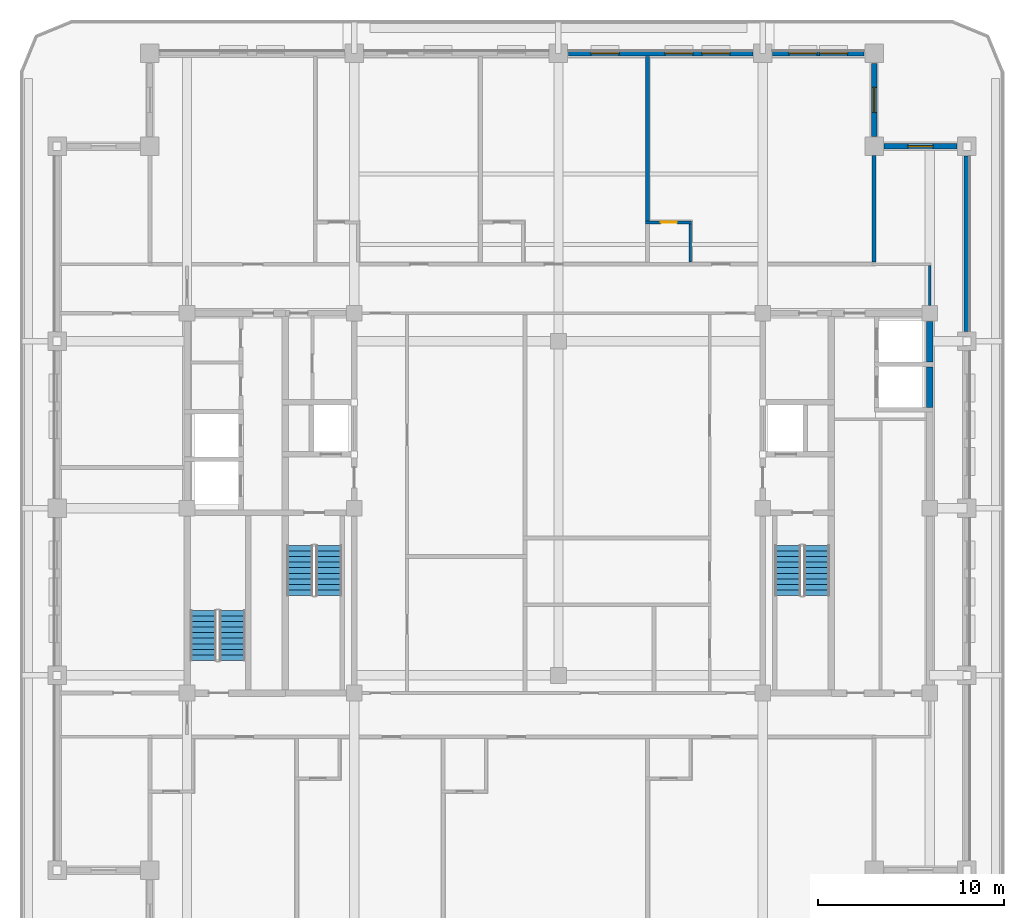
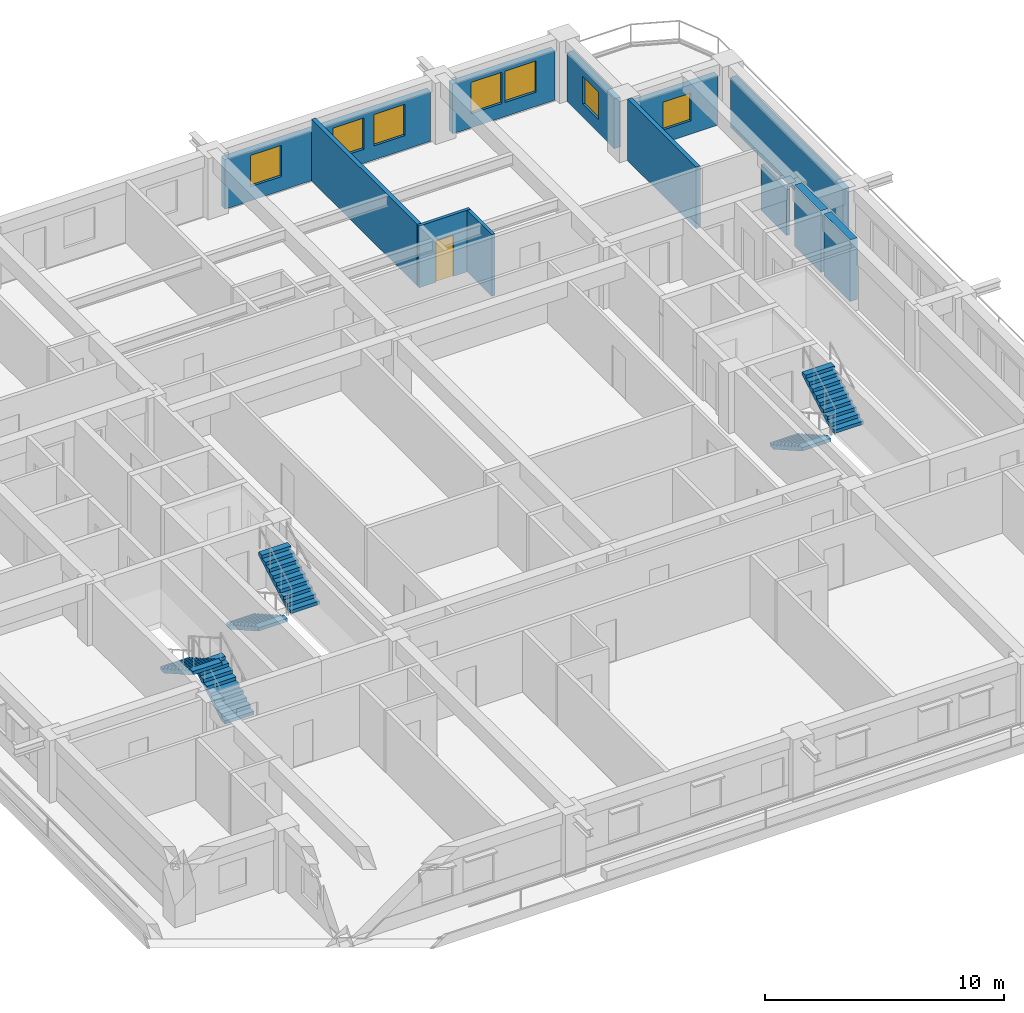
# One storey, part 7 of 14: 12 walls, 7 windows, 6 stair flights, 1 door, 8 openings, 3 elements without a shape of their own.
"""IFC4 building model written with IfcOpenShell, lengths in metres."""

import ifcopenshell
import ifcopenshell.guid

model = None  # the IFC model being written
_history = None  # IfcOwnerHistory: only IFC2X3 demands one
_inside = {}  # id of a spatial element -> (the spatial element, [elements in it])
_under = {}  # id of a project, library or spatial element -> (it, [spatial elements below it])
_declared = {}  # id of a project -> (the project, [libraries it declares])
_typed = {}  # id of a type object -> (the type object, [elements of that type])
_made_of = {}  # id of a material, layer set ... -> (it, [elements and type objects made of it])


def new_model(schema):
    """Start an empty IFC model of exactly this schema.

    Asked for "IFC4X3", IfcOpenShell would pick the latest addendum, in which some entities
    have other attributes; the version numbers below select the first issue.
    IFC2X3 requires an IfcOwnerHistory on every rooted entity: one is made here for all.
    """
    global model, _history
    if schema == "IFC4X3":
        model = ifcopenshell.file(schema_version=(4, 3, 0, 0))
    else:
        model = ifcopenshell.file(schema=schema)
    _inside.clear()
    _under.clear()
    _declared.clear()
    _typed.clear()
    _made_of.clear()
    _history = None
    if model.schema == "IFC2X3":
        org = make("IfcOrganization", Name="unknown")
        user = make(
            "IfcPersonAndOrganization",
            ThePerson=make("IfcPerson", FamilyName="unknown"),
            TheOrganization=org,
        )
        app = make(
            "IfcApplication",
            ApplicationDeveloper=org,
            Version="unknown",
            ApplicationFullName="unknown",
            ApplicationIdentifier="unknown",
        )
        _history = make(
            "IfcOwnerHistory",
            OwningUser=user,
            OwningApplication=app,
            ChangeAction="ADDED",
            CreationDate=0,
        )
    return model


def make(cls, **values):
    """One entity of the class cls with the attributes given. An attribute that is None is left unset."""
    return model.create_entity(
        cls, **{name: value for name, value in values.items() if value is not None}
    )


def rooted(cls, **values):
    """An entity with a GlobalId (a new one), such as an element, a storey or a relation."""
    return make(cls, GlobalId=ifcopenshell.guid.new(), OwnerHistory=_history, **values)


def si_unit(unit_type, name, prefix=None):
    """IfcSIUnit, for example si_unit("LENGTHUNIT", "METRE", prefix="MILLI")."""
    return make("IfcSIUnit", UnitType=unit_type, Prefix=prefix, Name=name)


def assignment(units):
    """IfcUnitAssignment: the units of a project."""
    return None if units is None else make("IfcUnitAssignment", Units=units)


def point(xyz):
    """IfcCartesianPoint."""
    return None if xyz is None else make("IfcCartesianPoint", Coordinates=xyz)


def direction(xyz):
    """IfcDirection."""
    return None if xyz is None else make("IfcDirection", DirectionRatios=xyz)


def frame(location, z_axis=None, x_axis=None):
    """IfcAxis2Placement3D, a coordinate frame: its origin and axes. An axis left out is left unset."""
    return make(
        "IfcAxis2Placement3D",
        Location=point(location),
        Axis=direction(z_axis),
        RefDirection=direction(x_axis),
    )


def frame_2d(location, x_axis=None):
    """IfcAxis2Placement2D, a coordinate frame in the plane: its origin and x axis."""
    return make(
        "IfcAxis2Placement2D", Location=point(location), RefDirection=direction(x_axis)
    )


def origin():
    """The frame at (0, 0, 0) with its axes left unset."""
    return frame((0.0, 0.0, 0.0))


def place(relative_to, where):
    """IfcLocalPlacement: puts the frame where relative to a parent placement (None: the world)."""
    return make(
        "IfcLocalPlacement", PlacementRelTo=relative_to, RelativePlacement=where
    )


def context(
    kind, dimensions, precision=None, world=None, true_north=None, identifier=None
):
    """IfcGeometricRepresentationContext, for example the 3D "Model" context."""
    return make(
        "IfcGeometricRepresentationContext",
        ContextIdentifier=identifier,
        ContextType=kind,
        CoordinateSpaceDimension=dimensions,
        Precision=precision,
        WorldCoordinateSystem=world,
        TrueNorth=true_north,
    )


def subcontext(parent, identifier, kind, view, scale=None):
    """IfcGeometricRepresentationSubContext, for example "Body" below "Model"."""
    return make(
        "IfcGeometricRepresentationSubContext",
        ContextIdentifier=identifier,
        ContextType=kind,
        ParentContext=parent,
        TargetScale=scale,
        TargetView=view,
    )


def project(units=None, contexts=None):
    """IfcProject with its units and contexts."""
    return rooted(
        "IfcProject",
        Name="project",
        RepresentationContexts=contexts,
        UnitsInContext=assignment(units),
    )


def spatial(cls, under=None, at=None, **own):
    """A site, building, storey or space (cls), placed at a placement, below another one or the project."""
    s = rooted(cls, ObjectPlacement=at, **own)
    if under is not None:
        _under.setdefault(under.id(), (under, []))[1].append(s)
    return s


def polyline(points):
    """IfcPolyline through the points."""
    return make("IfcPolyline", Points=[point(p) for p in points])


def profile(cls, at=None, kind="AREA", **sizes):
    """A parametric profile (cls). Its sizes go by their IFC names, for example OverallWidth=200.0."""
    return make(cls, ProfileType=kind, Position=at, **sizes)


def rectangle(**sizes):
    """IfcRectangleProfileDef."""
    return profile("IfcRectangleProfileDef", **sizes)


def outline(outer, holes=None, kind="AREA"):
    """IfcArbitraryClosedProfileDef: a profile drawn as a closed curve; with holes, ...WithVoids."""
    if holes is None:
        return make("IfcArbitraryClosedProfileDef", ProfileType=kind, OuterCurve=outer)
    return make(
        "IfcArbitraryProfileDefWithVoids",
        ProfileType=kind,
        OuterCurve=outer,
        InnerCurves=holes,
    )


def extrude(swept, where, along, depth):
    """IfcExtrudedAreaSolid: the profile swept, set in the frame where, extruded along a direction by depth."""
    return make(
        "IfcExtrudedAreaSolid",
        SweptArea=swept,
        Position=where,
        ExtrudedDirection=direction(along),
        Depth=depth,
    )


def shape(context_of_items, identifier, shape_type, items):
    """IfcShapeRepresentation: the items that make up one representation, for example the "Body"."""
    return make(
        "IfcShapeRepresentation",
        ContextOfItems=context_of_items,
        RepresentationIdentifier=identifier,
        RepresentationType=shape_type,
        Items=items,
    )


def material(Name=None, Category=None):
    """IfcMaterial."""
    return make("IfcMaterial", Name=Name, Category=Category)


def layer(
    of_material, thickness, ventilated=None, Name=None, Category=None, Priority=None
):
    """IfcMaterialLayer: one layer of a wall or slab, of a material (None: an air gap)."""
    return make(
        "IfcMaterialLayer",
        Material=of_material,
        LayerThickness=thickness,
        IsVentilated=ventilated,
        Name=Name,
        Category=Category,
        Priority=Priority,
    )


def layer_set(layers, Name=None):
    """IfcMaterialLayerSet."""
    return make("IfcMaterialLayerSet", MaterialLayers=layers, LayerSetName=Name)


def made_of(thing, what):
    """Note that an element or type object is made of a material, layer set ...; save() writes the relation."""
    if what is not None:
        _made_of.setdefault(what.id(), (what, []))[1].append(thing)
    return thing


def type_object(cls, material=None, **own):
    """A type object (cls), such as IfcWallType, which elements share."""
    return made_of(rooted(cls, **own), material)


def element(
    cls,
    number,
    at=None,
    inside=None,
    cuts=None,
    type_object=None,
    material=None,
    context=None,
    identifier="Body",
    shape_type=None,
    held_by="IfcProductDefinitionShape",
    body=None,
    shapes=None,
    **own,
):
    """One element of the class cls, such as IfcWall. Its Tag is "e" and its number.

    at: its placement. inside: the storey or other place that contains it. cuts: it is an
    opening in that element (IfcRelVoidsElement). A single representation is given by context,
    identifier, shape_type and body (its items); several are given by shapes. held_by: the class
    of the entity that holds the representations. save() writes the other relations.
    """
    e = rooted(cls, Tag="e%d" % number, ObjectPlacement=at, **own)
    if body is not None:
        shapes = [shape(context, identifier, shape_type, body)]
    if shapes is not None:
        e.Representation = make(held_by, Representations=shapes)
    if inside is not None:
        _inside.setdefault(inside.id(), (inside, []))[1].append(e)
    if cuts is not None:
        rooted(
            "IfcRelVoidsElement", RelatingBuildingElement=cuts, RelatedOpeningElement=e
        )
    if type_object is not None:
        _typed.setdefault(type_object.id(), (type_object, []))[1].append(e)
    return made_of(e, material)


def fill(opening, filler):
    """IfcRelFillsElement: the door or window that sits in an opening."""
    return rooted(
        "IfcRelFillsElement",
        RelatingOpeningElement=opening,
        RelatedBuildingElement=filler,
    )


def aggregate(whole, parts):
    """IfcRelAggregates: a whole, such as a stair, and the parts it consists of."""
    return rooted("IfcRelAggregates", RelatingObject=whole, RelatedObjects=parts)


def save(model, path):
    """Write the relations noted so far, then the file.

    IfcRelAggregates (storeys below a building ...), IfcRelContainedInSpatialStructure (elements
    in a storey), IfcRelDefinesByType, IfcRelAssociatesMaterial and IfcRelDeclares: one each for
    every whole, place, type object, material and project.
    """
    for whole, parts in _under.values():
        aggregate(whole, parts)
    for where, things in _inside.values():
        rooted(
            "IfcRelContainedInSpatialStructure",
            RelatedElements=things,
            RelatingStructure=where,
        )
    for kind, things in _typed.values():
        rooted("IfcRelDefinesByType", RelatedObjects=things, RelatingType=kind)
    for what, things in _made_of.values():
        rooted("IfcRelAssociatesMaterial", RelatedObjects=things, RelatingMaterial=what)
    for by, libraries in _declared.values():
        rooted("IfcRelDeclares", RelatingContext=by, RelatedDefinitions=libraries)
    model.write(path)


model = new_model("IFC4")

# Units and contexts
model_context = context("Model", 3, precision=1e-05, world=origin(), true_north=direction((0.0, 1.0)))
body_context = subcontext(model_context, "Body", "Model", "MODEL_VIEW")
ifc_project = project(units=[si_unit("LENGTHUNIT", "METRE"), si_unit("AREAUNIT", "SQUARE_METRE"), si_unit("VOLUMEUNIT", "CUBIC_METRE"), si_unit("PLANEANGLEUNIT", "RADIAN"), si_unit("MASSUNIT", "GRAM", prefix="KILO")], contexts=[model_context])

# Site, building, storey
site_placement = place(None, origin())
site = spatial("IfcSite", under=ifc_project, at=site_placement, CompositionType="ELEMENT")
building_placement = place(site_placement, origin())
building = spatial("IfcBuilding", under=site, at=building_placement, Name="Zulmaris Gate Convention Tower", CompositionType="ELEMENT")
storey_placement = place(building_placement, frame((0.0, 0.0, 211.85986328125)))
storey = spatial("IfcBuildingStorey", under=building, at=storey_placement, Name="L55", CompositionType="ELEMENT", Elevation=211.85986328125)

# Walls
ifc_material_1 = material(Name="Concrete C55/67", Category="concrete")
ifc_layer_1 = layer(ifc_material_1, 0.35009765625, Name="Concrete C55/67")
ifc_layer_set_1 = layer_set([ifc_layer_1], Name="Concrete C55/67")
wall_type_1 = type_object("IfcWallType", Name="CORE-350", PredefinedType="SHEAR", material=ifc_layer_set_1)
wall_1_placement = place(storey_placement, frame((20.0, 5.427001953125, 0.0), z_axis=(0.0, 0.0, 1.0), x_axis=(0.0, 1.0, 0.0)))
element("IfcWall", 1, at=wall_1_placement, inside=storey, type_object=wall_type_1, Name="WL-L55-072", PredefinedType="SHEAR", context=body_context, shape_type="SweptSolid", body=[
    extrude(rectangle(XDim=2.196044921875, YDim=0.35009765625, at=frame_2d((1.09814453125, 0.0))), origin(), (0.0, 0.0, 1.0), 3.150146484375),
])
wall_2_placement = place(storey_placement, frame((20.0, 7.876953125, 0.0), z_axis=(0.0, 0.0, 1.0), x_axis=(0.0, 1.0, 0.0)))
element("IfcWall", 2, at=wall_2_placement, inside=storey, type_object=wall_type_1, Name="WL-L55-073", PredefinedType="SHEAR", context=body_context, shape_type="SweptSolid", body=[
    extrude(rectangle(XDim=2.194091796875, YDim=0.35009765625, at=frame_2d((1.09716796875, 0.0))), origin(), (0.0, 0.0, 1.0), 3.150146484375),
])

# Wall, opening, door
ifc_material_2 = material(Name="Gypsum Metal Stud Partition")
ifc_layer_2 = layer(ifc_material_2, 0.14990234375, Name="Gypsum Metal Stud Partition")
ifc_layer_set_2 = layer_set([ifc_layer_2], Name="Gypsum Metal Stud Partition")
wall_type_2 = type_object("IfcWallType", Name="PART-150", PredefinedType="PARTITIONING", material=ifc_layer_set_2)
wall_3_placement = place(storey_placement, frame((4.699951171875, 15.39990234375, 0.0), z_axis=(0.0, 0.0, 1.0), x_axis=(1.0, 0.0, 0.0)))
wall_3 = element("IfcWall", 3, at=wall_3_placement, inside=storey, type_object=wall_type_2, Name="WL-L55-041", PredefinedType="PARTITIONING", context=body_context, shape_type="SweptSolid", body=[
    extrude(rectangle(XDim=2.47509765625, YDim=0.14990234375, at=frame_2d((1.237548828125, 0.0))), origin(), (0.0, 0.0, 1.0), 3.150146484375),
])
opening_1_placement = place(wall_3_placement, frame((0.824951171875, 0.0, 0.0)))
opening_1 = element("IfcOpeningElement", 4, at=opening_1_placement, cuts=wall_3, Name="Opening D-17", PredefinedType="OPENING", context=body_context, shape_type="SweptSolid", body=[
    extrude(rectangle(XDim=0.85009765625, YDim=2.10009765625, at=frame_2d((0.425048828125, 1.050048828125))), frame((0.0, 0.0849609375, 0.0), z_axis=(0.0, -1.0, 0.0), x_axis=(1.0, 0.0, 0.0)), (0.0, 0.0, 1.0), 0.169921875),
])
ifc_material_3 = material(Name="Moisture-Resistant Hardwood Timber", Category="wood")
door_type = type_object("IfcDoorType", Name="DR-850", OperationType="NOTDEFINED", PredefinedType="DOOR", material=ifc_material_3)
door_placement = place(opening_1_placement, origin())
door = element("IfcDoor", 5, at=door_placement, inside=storey, type_object=door_type, Name="L55 En-Suite Door 31", OperationType="SINGLE_SWING_LEFT", OverallHeight=2.10009765625, OverallWidth=0.85009765625, PredefinedType="DOOR", context=body_context, shape_type="SweptSolid", body=[
    extrude(rectangle(XDim=0.85009765625, YDim=2.10009765625, at=frame_2d((0.425048828125, 1.050048828125))), frame((0.0, 0.02490234375, 0.0), z_axis=(0.0, -1.0, 0.0), x_axis=(1.0, 0.0, 0.0)), (0.0, 0.0, 1.0), 0.050048828125),
])
fill(opening_1, door)

# Walls
wall_4_placement = place(storey_placement, frame((7.10009765625, 13.2529296875, 0.0), z_axis=(0.0, 0.0, 1.0), x_axis=(0.0, 1.0, 0.0)))
element("IfcWall", 6, at=wall_4_placement, inside=storey, type_object=wall_type_2, Name="WL-L55-107", PredefinedType="PARTITIONING", context=body_context, shape_type="SweptSolid", body=[
    extrude(rectangle(XDim=2.069091796875, YDim=0.14990234375, at=frame_2d((1.03466796875, 0.0))), origin(), (0.0, 0.0, 1.0), 3.150146484375),
])
wall_5_placement = place(storey_placement, frame((20.0, 10.930908203125, 0.0), z_axis=(0.0, 0.0, 1.0), x_axis=(0.0, 1.0, 0.0)))
element("IfcWall", 7, at=wall_5_placement, inside=storey, type_object=wall_type_2, Name="WL-L55-115", PredefinedType="PARTITIONING", context=body_context, shape_type="SweptSolid", body=[
    extrude(rectangle(XDim=2.14111328125, YDim=0.14990234375, at=frame_2d((1.070556640625, 0.0))), origin(), (0.0, 0.0, 1.0), 2.342041015625),
])
ifc_material_4 = material(Name="Autoclaved Aerated Concrete Block and Plasterboard", Category="concrete")
ifc_layer_3 = layer(ifc_material_4, 0.199951171875, Name="Autoclaved Aerated Concrete Block and Plasterboard")
ifc_layer_set_3 = layer_set([ifc_layer_3], Name="Autoclaved Aerated Concrete Block and Plasterboard")
wall_type_3 = type_object("IfcWallType", Name="PART-200", PredefinedType="PARTITIONING", material=ifc_layer_set_3)
wall_6_placement = place(storey_placement, frame((4.800048828125, 15.47802734375, 0.0), z_axis=(0.0, 0.0, 1.0), x_axis=(0.0, 1.0, 0.0)))
element("IfcWall", 8, at=wall_6_placement, inside=storey, type_object=wall_type_3, Name="WL-L55-104", PredefinedType="PARTITIONING", context=body_context, shape_type="SweptSolid", body=[
    extrude(rectangle(XDim=8.85693359375, YDim=0.199951171875, at=frame_2d((4.428466796875, 0.0))), origin(), (0.0, 0.0, 1.0), 3.150146484375),
])
wall_7_placement = place(storey_placement, frame((17.0, 13.2529296875, 0.0), z_axis=(0.0, 0.0, 1.0), x_axis=(0.0, 1.0, 0.0)))
element("IfcWall", 9, at=wall_7_placement, inside=storey, type_object=wall_type_3, Name="WL-L55-112", PredefinedType="PARTITIONING", context=body_context, shape_type="SweptSolid", body=[
    extrude(rectangle(XDim=5.740966796875, YDim=0.199951171875, at=frame_2d((2.87060546875, 0.0))), origin(), (0.0, 0.0, 1.0), 3.150146484375),
])

# Wall, opening, window
ifc_material_5 = material(Name="Precast concrete C40/50", Category="concrete")
ifc_layer_4 = layer(ifc_material_5, 0.300048828125, Name="Precast concrete C40/50")
ifc_layer_set_4 = layer_set([ifc_layer_4], Name="Precast concrete C40/50")
wall_type_4 = type_object("IfcWallType", Name="PRECAST-PIER-300", PredefinedType="STANDARD", material=ifc_layer_set_4)
wall_8_placement = place(storey_placement, frame((21.469970703125, 19.5, 0.0), z_axis=(0.0, 0.0, 1.0), x_axis=(-1.0, 0.0, 0.0)))
wall_8 = element("IfcWall", 10, at=wall_8_placement, inside=storey, type_object=wall_type_4, Name="EW-L55-NOTCH-NE1_0", PredefinedType="STANDARD", context=body_context, shape_type="SweptSolid", body=[
    extrude(rectangle(XDim=3.93994140625, YDim=0.300048828125, at=frame_2d((1.969970703125, 0.0))), origin(), (0.0, 0.0, 1.0), 2.542236328125),
])
opening_2_placement = place(wall_8_placement, frame((1.294921875, 0.0, 0.679931640625)))
opening_2 = element("IfcOpeningElement", 11, at=opening_2_placement, cuts=wall_8, Name="Opening W-10", PredefinedType="OPENING", context=body_context, shape_type="SweptSolid", body=[
    extrude(rectangle(XDim=1.35009765625, YDim=1.419921875, at=frame_2d((0.675048828125, 0.7099609375))), frame((0.0, 0.16015625, 0.0), z_axis=(0.0, -1.0, 0.0), x_axis=(1.0, 0.0, 0.0)), (0.0, 0.0, 1.0), 0.320068359375),
])
ifc_material_6 = material(Name="Low-E Laminated Double Glazing in Aluminium Frame", Category="aluminium")
window_type_1 = type_object("IfcWindowType", Name="WIN-1350x2000", PartitioningType="SINGLE_PANEL", PredefinedType="WINDOW", material=ifc_material_6)
window_1_placement = place(opening_2_placement, origin())
window_1 = element("IfcWindow", 12, at=window_1_placement, inside=storey, type_object=window_type_1, Name="WN-EW-L55-NOTCH-NE1_0", OverallHeight=1.419921875, OverallWidth=1.35009765625, PartitioningType="SINGLE_PANEL", PredefinedType="WINDOW", context=body_context, shape_type="SweptSolid", body=[
    extrude(rectangle(XDim=1.35009765625, YDim=1.419921875, at=frame_2d((0.675048828125, 0.7099609375))), frame((0.0, 0.030029296875, 0.0), z_axis=(0.0, -1.0, 0.0), x_axis=(1.0, 0.0, 0.0)), (0.0, 0.0, 1.0), 0.06005859375),
])
fill(opening_2, window_1)

wall_9_placement = place(storey_placement, frame((17.0, 20.030029296875, 0.0), z_axis=(0.0, 0.0, 1.0), x_axis=(0.0, 1.0, 0.0)))
wall_9 = element("IfcWall", 13, at=wall_9_placement, inside=storey, type_object=wall_type_4, Name="EW-L55-NOTCH-NE2_0", PredefinedType="STANDARD", context=body_context, shape_type="SweptSolid", body=[
    extrude(rectangle(XDim=3.93994140625, YDim=0.300048828125, at=frame_2d((1.969970703125, 0.0))), origin(), (0.0, 0.0, 1.0), 2.542236328125),
])
opening_3_placement = place(wall_9_placement, frame((1.294921875, 0.0, 0.679931640625)))
opening_3 = element("IfcOpeningElement", 14, at=opening_3_placement, cuts=wall_9, Name="Opening W-10", PredefinedType="OPENING", context=body_context, shape_type="SweptSolid", body=[
    extrude(rectangle(XDim=1.35009765625, YDim=1.419921875, at=frame_2d((0.675048828125, 0.7099609375))), frame((0.0, 0.16015625, 0.0), z_axis=(0.0, -1.0, 0.0), x_axis=(1.0, 0.0, 0.0)), (0.0, 0.0, 1.0), 0.320068359375),
])
window_2_placement = place(opening_3_placement, origin())
window_2 = element("IfcWindow", 15, at=window_2_placement, inside=storey, type_object=window_type_1, Name="WN-EW-L55-NOTCH-NE2_0", OverallHeight=1.419921875, OverallWidth=1.35009765625, PartitioningType="SINGLE_PANEL", PredefinedType="WINDOW", context=body_context, shape_type="SweptSolid", body=[
    extrude(rectangle(XDim=1.35009765625, YDim=1.419921875, at=frame_2d((0.675048828125, 0.7099609375))), frame((0.0, 0.030029296875, 0.0), z_axis=(0.0, -1.0, 0.0), x_axis=(1.0, 0.0, 0.0)), (0.0, 0.0, 1.0), 0.06005859375),
])
fill(opening_3, window_2)

# Wall, openings, windows
wall_10_placement = place(storey_placement, frame((10.469970703125, 24.5, 0.0), z_axis=(0.0, 0.0, 1.0), x_axis=(-1.0, 0.0, 0.0)))
wall_10 = element("IfcWall", 16, at=wall_10_placement, inside=storey, type_object=wall_type_4, Name="EW-L55-N-2_0", PredefinedType="STANDARD", context=body_context, shape_type="SweptSolid", body=[
    extrude(rectangle(XDim=9.93994140625, YDim=0.300048828125, at=frame_2d((4.969970703125, 0.0))), origin(), (0.0, 0.0, 1.0), 2.542236328125),
])
opening_4_placement = place(wall_10_placement, frame((1.238037109375, 0.0, 0.719970703125)))
opening_4 = element("IfcOpeningElement", 17, at=opening_4_placement, cuts=wall_10, Name="Opening W-03", PredefinedType="OPENING", context=body_context, shape_type="SweptSolid", body=[
    extrude(rectangle(XDim=1.5, YDim=1.60009765625, at=frame_2d((0.75, 0.800048828125))), frame((0.0, 0.16015625, 0.0), z_axis=(0.0, -1.0, 0.0), x_axis=(1.0, 0.0, 0.0)), (0.0, 0.0, 1.0), 0.320068359375),
])
opening_5_placement = place(wall_10_placement, frame((3.22607421875, 0.0, 0.719970703125)))
opening_5 = element("IfcOpeningElement", 18, at=opening_5_placement, cuts=wall_10, Name="Opening W-03", PredefinedType="OPENING", context=body_context, shape_type="SweptSolid", body=[
    extrude(rectangle(XDim=1.5, YDim=1.60009765625, at=frame_2d((0.75, 0.800048828125))), frame((0.0, 0.16015625, 0.0), z_axis=(0.0, -1.0, 0.0), x_axis=(1.0, 0.0, 0.0)), (0.0, 0.0, 1.0), 0.320068359375),
])
opening_6_placement = place(wall_10_placement, frame((7.201904296875, 0.0, 0.719970703125)))
opening_6 = element("IfcOpeningElement", 19, at=opening_6_placement, cuts=wall_10, Name="Opening W-03", PredefinedType="OPENING", context=body_context, shape_type="SweptSolid", body=[
    extrude(rectangle(XDim=1.5, YDim=1.60009765625, at=frame_2d((0.75, 0.800048828125))), frame((0.0, 0.16015625, 0.0), z_axis=(0.0, -1.0, 0.0), x_axis=(1.0, 0.0, 0.0)), (0.0, 0.0, 1.0), 0.320068359375),
])
window_type_2 = type_object("IfcWindowType", Name="WIN-1500x2100", PartitioningType="SINGLE_PANEL", PredefinedType="WINDOW", material=ifc_material_6)
window_3_placement = place(opening_4_placement, origin())
window_3 = element("IfcWindow", 20, at=window_3_placement, inside=storey, type_object=window_type_2, Name="WN-EW-L55-N-2_0-1", OverallHeight=1.60009765625, OverallWidth=1.5, PartitioningType="SINGLE_PANEL", PredefinedType="WINDOW", context=body_context, shape_type="SweptSolid", body=[
    extrude(rectangle(XDim=1.5, YDim=1.60009765625, at=frame_2d((0.75, 0.800048828125))), frame((0.0, 0.030029296875, 0.0), z_axis=(0.0, -1.0, 0.0), x_axis=(1.0, 0.0, 0.0)), (0.0, 0.0, 1.0), 0.06005859375),
])
fill(opening_4, window_3)
window_4_placement = place(opening_5_placement, origin())
window_4 = element("IfcWindow", 21, at=window_4_placement, inside=storey, type_object=window_type_2, Name="WN-EW-L55-N-2_0-2", OverallHeight=1.60009765625, OverallWidth=1.5, PartitioningType="SINGLE_PANEL", PredefinedType="WINDOW", context=body_context, shape_type="SweptSolid", body=[
    extrude(rectangle(XDim=1.5, YDim=1.60009765625, at=frame_2d((0.75, 0.800048828125))), frame((0.0, 0.030029296875, 0.0), z_axis=(0.0, -1.0, 0.0), x_axis=(1.0, 0.0, 0.0)), (0.0, 0.0, 1.0), 0.06005859375),
])
fill(opening_5, window_4)
window_5_placement = place(opening_6_placement, origin())
window_5 = element("IfcWindow", 22, at=window_5_placement, inside=storey, type_object=window_type_2, Name="WN-EW-L55-N-2_0-4", OverallHeight=1.60009765625, OverallWidth=1.5, PartitioningType="SINGLE_PANEL", PredefinedType="WINDOW", context=body_context, shape_type="SweptSolid", body=[
    extrude(rectangle(XDim=1.5, YDim=1.60009765625, at=frame_2d((0.75, 0.800048828125))), frame((0.0, 0.030029296875, 0.0), z_axis=(0.0, -1.0, 0.0), x_axis=(1.0, 0.0, 0.0)), (0.0, 0.0, 1.0), 0.06005859375),
])
fill(opening_6, window_5)

wall_11_placement = place(storey_placement, frame((16.469970703125, 24.5, 0.0), z_axis=(0.0, 0.0, 1.0), x_axis=(-1.0, 0.0, 0.0)))
wall_11 = element("IfcWall", 23, at=wall_11_placement, inside=storey, type_object=wall_type_4, Name="EW-L55-N-3_0", PredefinedType="STANDARD", context=body_context, shape_type="SweptSolid", body=[
    extrude(rectangle(XDim=4.93994140625, YDim=0.300048828125, at=frame_2d((2.469970703125, 0.0))), origin(), (0.0, 0.0, 1.0), 2.542236328125),
])
opening_7_placement = place(wall_11_placement, frame((0.89697265625, 0.0, 0.719970703125)))
opening_7 = element("IfcOpeningElement", 24, at=opening_7_placement, cuts=wall_11, Name="Opening W-03", PredefinedType="OPENING", context=body_context, shape_type="SweptSolid", body=[
    extrude(rectangle(XDim=1.5, YDim=1.60009765625, at=frame_2d((0.75, 0.800048828125))), frame((0.0, 0.16015625, 0.0), z_axis=(0.0, -1.0, 0.0), x_axis=(1.0, 0.0, 0.0)), (0.0, 0.0, 1.0), 0.320068359375),
])
opening_8_placement = place(wall_11_placement, frame((2.54296875, 0.0, 0.719970703125)))
opening_8 = element("IfcOpeningElement", 25, at=opening_8_placement, cuts=wall_11, Name="Opening W-03", PredefinedType="OPENING", context=body_context, shape_type="SweptSolid", body=[
    extrude(rectangle(XDim=1.5, YDim=1.60009765625, at=frame_2d((0.75, 0.800048828125))), frame((0.0, 0.16015625, 0.0), z_axis=(0.0, -1.0, 0.0), x_axis=(1.0, 0.0, 0.0)), (0.0, 0.0, 1.0), 0.320068359375),
])
window_6_placement = place(opening_7_placement, origin())
window_6 = element("IfcWindow", 26, at=window_6_placement, inside=storey, type_object=window_type_2, Name="WN-EW-L55-N-3_0-1", OverallHeight=1.60009765625, OverallWidth=1.5, PartitioningType="SINGLE_PANEL", PredefinedType="WINDOW", context=body_context, shape_type="SweptSolid", body=[
    extrude(rectangle(XDim=1.5, YDim=1.60009765625, at=frame_2d((0.75, 0.800048828125))), frame((0.0, 0.030029296875, 0.0), z_axis=(0.0, -1.0, 0.0), x_axis=(1.0, 0.0, 0.0)), (0.0, 0.0, 1.0), 0.06005859375),
])
fill(opening_7, window_6)
window_7_placement = place(opening_8_placement, origin())
window_7 = element("IfcWindow", 27, at=window_7_placement, inside=storey, type_object=window_type_2, Name="WN-EW-L55-N-3_0-2", OverallHeight=1.60009765625, OverallWidth=1.5, PartitioningType="SINGLE_PANEL", PredefinedType="WINDOW", context=body_context, shape_type="SweptSolid", body=[
    extrude(rectangle(XDim=1.5, YDim=1.60009765625, at=frame_2d((0.75, 0.800048828125))), frame((0.0, 0.030029296875, 0.0), z_axis=(0.0, -1.0, 0.0), x_axis=(1.0, 0.0, 0.0)), (0.0, 0.0, 1.0), 0.06005859375),
])
fill(opening_8, window_7)

# Wall
wall_12_placement = place(storey_placement, frame((22.0, 9.530029296875, 0.0), z_axis=(0.0, 0.0, 1.0), x_axis=(0.0, 1.0, 0.0)))
element("IfcWall", 28, at=wall_12_placement, inside=storey, type_object=wall_type_4, Name="EW-L55-E-3_0", PredefinedType="STANDARD", context=body_context, shape_type="SweptSolid", body=[
    extrude(rectangle(XDim=9.43994140625, YDim=0.300048828125, at=frame_2d((4.719970703125, 0.0))), origin(), (0.0, 0.0, 1.0), 2.542236328125),
])

# Stair, stair flights
ifc_material_7 = material(Name="Concrete C45/55", Category="concrete")
stair_type = type_object("IfcStairType", Name="ST-CORE-DOGLEG", PredefinedType="HALF_TURN_STAIR", material=ifc_material_7)
stair_1_placement = place(storey_placement, origin())
stair_1 = element("IfcStair", 29, at=stair_1_placement, inside=storey, type_object=stair_type, Name="L55 Core Exit Stair ST-1", PredefinedType="HALF_TURN_STAIR")
ifc_layer_5 = layer(ifc_material_7, 0.14990234375, Name="Concrete C45/55")
ifc_layer_set_5 = layer_set([ifc_layer_5], Name="Concrete C45/55")
stair_flight_type = type_object("IfcStairFlightType", Name="STF-RC150", PredefinedType="STRAIGHT", material=ifc_layer_set_5)
stair_flight_1_placement = place(storey_placement, frame((-13.919921875, -2.0, 0.0), z_axis=(0.0, 0.0, 1.0), x_axis=(0.0, -1.0, 0.0)))
stair_flight_1 = element("IfcStairFlight", 30, at=stair_flight_1_placement, type_object=stair_flight_type, Name="ST-1 flight 1", NumberOfRisers=10, NumberOfTreads=9, PredefinedType="STRAIGHT", RiserHeight=0.170005, TreadLength=0.3, context=body_context, shape_type="SweptSolid", body=[
    extrude(outline(polyline([(0.0, 0.0), (0.0, 0.169921875), (0.300048828125, 0.169921875), (0.300048828125, 0.340087890625), (0.60009765625, 0.340087890625), (0.60009765625, 0.510009765625), (0.89990234375, 0.510009765625), (0.89990234375, 0.679931640625), (1.199951171875, 0.679931640625), (1.199951171875, 0.85009765625), (1.5, 0.85009765625), (1.5, 1.02001953125), (1.800048828125, 1.02001953125), (1.800048828125, 1.18994140625), (2.10009765625, 1.18994140625), (2.10009765625, 1.360107421875), (2.39990234375, 1.360107421875), (2.39990234375, 1.530029296875), (2.699951171875, 1.530029296875), (2.699951171875, 1.699951171875), (2.699951171875, 1.357666015625), (0.303955078125, 0.0), (0.0, 0.0)])), frame((0.0, 0.699951171875, 0.0), z_axis=(0.0, -1.0, 0.0), x_axis=(1.0, 0.0, 0.0)), (0.0, 0.0, 1.0), 1.39990234375),
])
stair_flight_2_placement = place(storey_placement, frame((-12.360107421875, -4.699951171875, 1.7001953125), z_axis=(0.0, 0.0, 1.0), x_axis=(0.0, 1.0, 0.0)))
stair_flight_2 = element("IfcStairFlight", 31, at=stair_flight_2_placement, type_object=stair_flight_type, Name="ST-1 flight 2", NumberOfRisers=10, NumberOfTreads=9, PredefinedType="STRAIGHT", RiserHeight=0.170005, TreadLength=0.3, context=body_context, shape_type="SweptSolid", body=[
    extrude(outline(polyline([(0.0, 0.0), (0.0, 0.169921875), (0.300048828125, 0.169921875), (0.300048828125, 0.340087890625), (0.60009765625, 0.340087890625), (0.60009765625, 0.510009765625), (0.89990234375, 0.510009765625), (0.89990234375, 0.679931640625), (1.199951171875, 0.679931640625), (1.199951171875, 0.85009765625), (1.5, 0.85009765625), (1.5, 1.02001953125), (1.800048828125, 1.02001953125), (1.800048828125, 1.18994140625), (2.10009765625, 1.18994140625), (2.10009765625, 1.360107421875), (2.39990234375, 1.360107421875), (2.39990234375, 1.530029296875), (2.699951171875, 1.530029296875), (2.699951171875, 1.699951171875), (2.699951171875, 1.357666015625), (0.303955078125, 0.0), (0.0, 0.0)])), frame((0.0, 0.699951171875, 0.0), z_axis=(0.0, -1.0, 0.0), x_axis=(1.0, 0.0, 0.0)), (0.0, 0.0, 1.0), 1.39990234375),
])
aggregate(stair_1, [stair_flight_1, stair_flight_2])

stair_2_placement = place(storey_placement, origin())
stair_2 = element("IfcStair", 32, at=stair_2_placement, inside=storey, type_object=stair_type, Name="L55 Core Exit Stair ST-2", PredefinedType="HALF_TURN_STAIR")
stair_flight_3_placement = place(storey_placement, frame((12.360107421875, -2.0, 0.0), z_axis=(0.0, 0.0, 1.0), x_axis=(0.0, -1.0, 0.0)))
stair_flight_3 = element("IfcStairFlight", 33, at=stair_flight_3_placement, type_object=stair_flight_type, Name="ST-2 flight 1", NumberOfRisers=10, NumberOfTreads=9, PredefinedType="STRAIGHT", RiserHeight=0.170005, TreadLength=0.3, context=body_context, shape_type="SweptSolid", body=[
    extrude(outline(polyline([(0.0, 0.0), (0.0, 0.169921875), (0.300048828125, 0.169921875), (0.300048828125, 0.340087890625), (0.60009765625, 0.340087890625), (0.60009765625, 0.510009765625), (0.89990234375, 0.510009765625), (0.89990234375, 0.679931640625), (1.199951171875, 0.679931640625), (1.199951171875, 0.85009765625), (1.5, 0.85009765625), (1.5, 1.02001953125), (1.800048828125, 1.02001953125), (1.800048828125, 1.18994140625), (2.10009765625, 1.18994140625), (2.10009765625, 1.360107421875), (2.39990234375, 1.360107421875), (2.39990234375, 1.530029296875), (2.699951171875, 1.530029296875), (2.699951171875, 1.699951171875), (2.699951171875, 1.357666015625), (0.303955078125, 0.0), (0.0, 0.0)])), frame((0.0, 0.699951171875, 0.0), z_axis=(0.0, -1.0, 0.0), x_axis=(1.0, 0.0, 0.0)), (0.0, 0.0, 1.0), 1.39990234375),
])
stair_flight_4_placement = place(storey_placement, frame((13.919921875, -4.699951171875, 1.7001953125), z_axis=(0.0, 0.0, 1.0), x_axis=(0.0, 1.0, 0.0)))
stair_flight_4 = element("IfcStairFlight", 34, at=stair_flight_4_placement, type_object=stair_flight_type, Name="ST-2 flight 2", NumberOfRisers=10, NumberOfTreads=9, PredefinedType="STRAIGHT", RiserHeight=0.170005, TreadLength=0.3, context=body_context, shape_type="SweptSolid", body=[
    extrude(outline(polyline([(0.0, 0.0), (0.0, 0.169921875), (0.300048828125, 0.169921875), (0.300048828125, 0.340087890625), (0.60009765625, 0.340087890625), (0.60009765625, 0.510009765625), (0.89990234375, 0.510009765625), (0.89990234375, 0.679931640625), (1.199951171875, 0.679931640625), (1.199951171875, 0.85009765625), (1.5, 0.85009765625), (1.5, 1.02001953125), (1.800048828125, 1.02001953125), (1.800048828125, 1.18994140625), (2.10009765625, 1.18994140625), (2.10009765625, 1.360107421875), (2.39990234375, 1.360107421875), (2.39990234375, 1.530029296875), (2.699951171875, 1.530029296875), (2.699951171875, 1.699951171875), (2.699951171875, 1.357666015625), (0.303955078125, 0.0), (0.0, 0.0)])), frame((0.0, 0.699951171875, 0.0), z_axis=(0.0, -1.0, 0.0), x_axis=(1.0, 0.0, 0.0)), (0.0, 0.0, 1.0), 1.39990234375),
])
aggregate(stair_2, [stair_flight_3, stair_flight_4])

stair_3_placement = place(storey_placement, origin())
stair_3 = element("IfcStair", 35, at=stair_3_placement, inside=storey, type_object=stair_type, Name="L55 Core Exit Stair ST-3", PredefinedType="HALF_TURN_STAIR")
stair_flight_5_placement = place(storey_placement, frame((-17.56005859375, -8.199951171875, 0.0), z_axis=(0.0, 0.0, 1.0), x_axis=(0.0, 1.0, 0.0)))
stair_flight_5 = element("IfcStairFlight", 36, at=stair_flight_5_placement, type_object=stair_flight_type, Name="ST-3 flight 1", NumberOfRisers=10, NumberOfTreads=9, PredefinedType="STRAIGHT", RiserHeight=0.170005, TreadLength=0.3, context=body_context, shape_type="SweptSolid", body=[
    extrude(outline(polyline([(0.0, 0.0), (0.0, 0.169921875), (0.300048828125, 0.169921875), (0.300048828125, 0.340087890625), (0.60009765625, 0.340087890625), (0.60009765625, 0.510009765625), (0.89990234375, 0.510009765625), (0.89990234375, 0.679931640625), (1.199951171875, 0.679931640625), (1.199951171875, 0.85009765625), (1.5, 0.85009765625), (1.5, 1.02001953125), (1.800048828125, 1.02001953125), (1.800048828125, 1.18994140625), (2.10009765625, 1.18994140625), (2.10009765625, 1.360107421875), (2.39990234375, 1.360107421875), (2.39990234375, 1.530029296875), (2.699951171875, 1.530029296875), (2.699951171875, 1.699951171875), (2.699951171875, 1.357666015625), (0.303955078125, 0.0), (0.0, 0.0)])), frame((0.0, 0.699951171875, 0.0), z_axis=(0.0, -1.0, 0.0), x_axis=(1.0, 0.0, 0.0)), (0.0, 0.0, 1.0), 1.39990234375),
])
stair_flight_6_placement = place(storey_placement, frame((-19.1201171875, -5.5, 1.7001953125), z_axis=(0.0, 0.0, 1.0), x_axis=(0.0, -1.0, 0.0)))
stair_flight_6 = element("IfcStairFlight", 37, at=stair_flight_6_placement, type_object=stair_flight_type, Name="ST-3 flight 2", NumberOfRisers=10, NumberOfTreads=9, PredefinedType="STRAIGHT", RiserHeight=0.170005, TreadLength=0.3, context=body_context, shape_type="SweptSolid", body=[
    extrude(outline(polyline([(0.0, 0.0), (0.0, 0.169921875), (0.300048828125, 0.169921875), (0.300048828125, 0.340087890625), (0.60009765625, 0.340087890625), (0.60009765625, 0.510009765625), (0.89990234375, 0.510009765625), (0.89990234375, 0.679931640625), (1.199951171875, 0.679931640625), (1.199951171875, 0.85009765625), (1.5, 0.85009765625), (1.5, 1.02001953125), (1.800048828125, 1.02001953125), (1.800048828125, 1.18994140625), (2.10009765625, 1.18994140625), (2.10009765625, 1.360107421875), (2.39990234375, 1.360107421875), (2.39990234375, 1.530029296875), (2.699951171875, 1.530029296875), (2.699951171875, 1.699951171875), (2.699951171875, 1.357666015625), (0.303955078125, 0.0), (0.0, 0.0)])), frame((0.0, 0.699951171875, 0.0), z_axis=(0.0, -1.0, 0.0), x_axis=(1.0, 0.0, 0.0)), (0.0, 0.0, 1.0), 1.39990234375),
])
aggregate(stair_3, [stair_flight_5, stair_flight_6])

save(model, "model.ifc")
